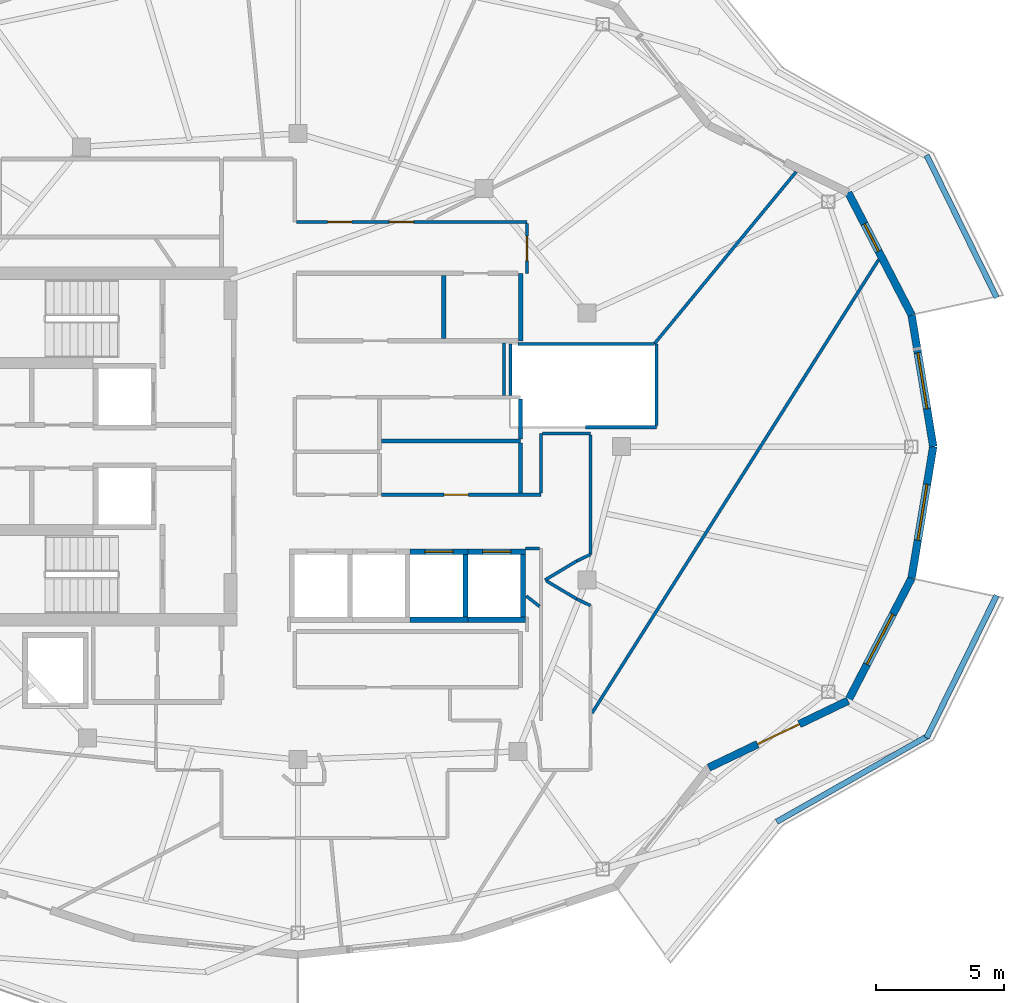
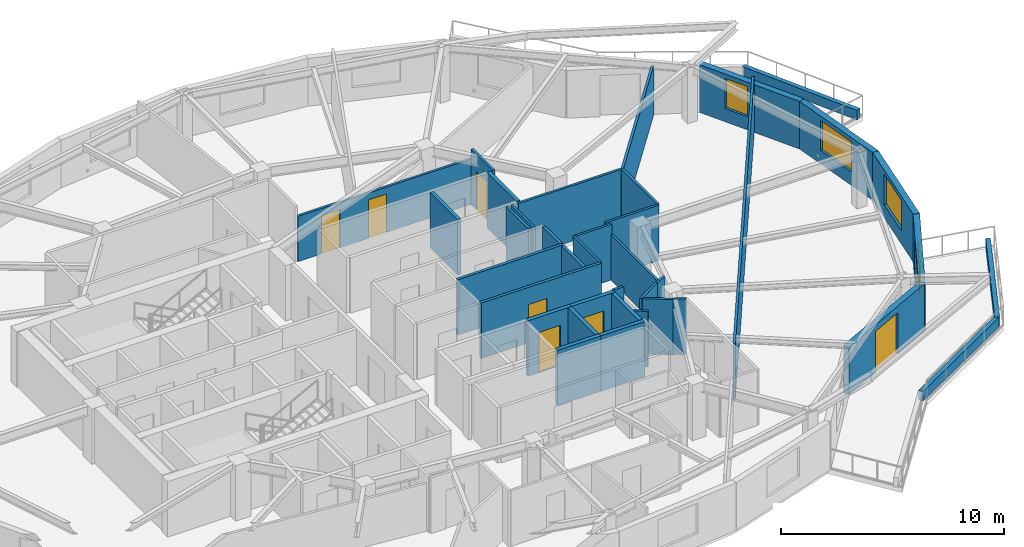
# One storey, part 9 of 14: 38 walls, 7 doors, 4 windows, 11 openings.
"""IFC4 building model written with IfcOpenShell, lengths in metres."""

from ifc_helpers import new_model, si_unit, direction, frame, frame_2d, origin, place, context, subcontext, project, spatial, rectangle, extrude, material, layer, layer_set, type_object, element, fill, save


model = new_model("IFC4")

# Units and contexts
model_context = context("Model", 3, precision=1e-05, world=origin(), true_north=direction((0.0, 1.0)))
body_context = subcontext(model_context, "Body", "Model", "MODEL_VIEW")
ifc_project = project(units=[si_unit("LENGTHUNIT", "METRE"), si_unit("AREAUNIT", "SQUARE_METRE"), si_unit("VOLUMEUNIT", "CUBIC_METRE"), si_unit("PLANEANGLEUNIT", "RADIAN"), si_unit("MASSUNIT", "GRAM", prefix="KILO")], contexts=[model_context])

# Site, building, storey
site_placement = place(None, origin())
site = spatial("IfcSite", under=ifc_project, at=site_placement, CompositionType="ELEMENT")
building_placement = place(site_placement, origin())
building = spatial("IfcBuilding", under=site, at=building_placement, Name="Kolvaren Gate Tower and Convention Centre", CompositionType="ELEMENT")
storey_placement = place(building_placement, frame((0.0, 0.0, 206.300048828125)))
storey = spatial("IfcBuildingStorey", under=building, at=storey_placement, Name="L54", CompositionType="ELEMENT", Elevation=206.300048828125)

# Walls
ifc_material_1 = material(Name="Autoclaved Aerated Masonry Blockwork Class 4 (4.0 MPa)", Category="masonry")
ifc_layer_1 = layer(ifc_material_1, 0.179931640625)
ifc_layer_set_1 = layer_set([ifc_layer_1], Name="Autoclaved Aerated Masonry Blockwork Class 4 (4.0 MPa)")
wall_type_1 = type_object("IfcWallType", Name="ARCH-WL-COMP-180", PredefinedType="SOLIDWALL", material=ifc_layer_set_1)
wall_1_placement = place(storey_placement, frame((38.800048828125, 31.1201171875, 0.0), z_axis=(0.0, 0.0, 1.0), x_axis=(0.0, 1.0, 0.0)))
element("IfcWall", 1, at=wall_1_placement, inside=storey, type_object=wall_type_1, Name="Interior Partition WL-L54-INT-028", PredefinedType="SOLIDWALL", context=body_context, shape_type="SweptSolid", body=[
    extrude(rectangle(XDim=2.6298828125, YDim=0.179931640625, at=frame_2d((1.31494140625, 0.0))), origin(), (0.0, 0.0, 1.0), 3.030029296875),
])
wall_2_placement = place(storey_placement, frame((35.800048828125, 31.2119140625, 0.0), z_axis=(0.0, 0.0, 1.0), x_axis=(0.0, 1.0, 0.0)))
element("IfcWall", 2, at=wall_2_placement, inside=storey, type_object=wall_type_1, Name="Interior Partition WL-L54-INT-031", PredefinedType="SOLIDWALL", context=body_context, shape_type="SweptSolid", body=[
    extrude(rectangle(XDim=2.446044921875, YDim=0.179931640625, at=frame_2d((1.22314453125, 0.0))), origin(), (0.0, 0.0, 1.0), 3.030029296875),
])

# Wall, openings, doors
ifc_material_2 = material(Name="Fire-Rated Acoustic Gypsum Stud Partition", Category="gypsum")
ifc_layer_2 = layer(ifc_material_2, 0.1201171875)
ifc_layer_set_2 = layer_set([ifc_layer_2], Name="Fire-Rated Acoustic Gypsum Stud Partition")
wall_type_2 = type_object("IfcWallType", Name="ARCH-WL-PART-120", PredefinedType="PARTITIONING", material=ifc_layer_set_2)
wall_3_placement = place(storey_placement, frame((30.06201171875, 35.75, 0.0), z_axis=(0.0, 0.0, 1.0), x_axis=(1.0, 0.0, 0.0)))
wall_3 = element("IfcWall", 3, at=wall_3_placement, inside=storey, type_object=wall_type_2, Name="Interior Partition WL-L54-INT-037", PredefinedType="PARTITIONING", context=body_context, shape_type="SweptSolid", body=[
    extrude(rectangle(XDim=8.988037109375, YDim=0.1201171875, at=frame_2d((4.494140625, 0.0))), origin(), (0.0, 0.0, 1.0), 2.47802734375),
])
opening_1_placement = place(wall_3_placement, frame((3.6220703125, 0.0, 0.0)))
opening_1 = element("IfcOpeningElement", 4, at=opening_1_placement, cuts=wall_3, Name="Opening DR-01", PredefinedType="OPENING", context=body_context, shape_type="SweptSolid", body=[
    extrude(rectangle(XDim=0.949951171875, YDim=2.10009765625, at=frame_2d((0.47509765625, 1.050048828125))), frame((0.0, 0.070068359375, 0.0), z_axis=(0.0, -1.0, 0.0), x_axis=(1.0, 0.0, 0.0)), (0.0, 0.0, 1.0), 0.14013671875),
])
opening_2_placement = place(wall_3_placement, frame((1.2158203125, 0.0, 0.0)))
opening_2 = element("IfcOpeningElement", 5, at=opening_2_placement, cuts=wall_3, Name="Opening DR-01", PredefinedType="OPENING", context=body_context, shape_type="SweptSolid", body=[
    extrude(rectangle(XDim=0.949951171875, YDim=2.10009765625, at=frame_2d((0.47509765625, 1.050048828125))), frame((0.0, 0.070068359375, 0.0), z_axis=(0.0, -1.0, 0.0), x_axis=(1.0, 0.0, 0.0)), (0.0, 0.0, 1.0), 0.14013671875),
])
ifc_material_3 = material(Name="Painted Architectural Steelwork ASTM A500 Grade C 345 MPa", Category="steel")
door_type_1 = type_object("IfcDoorType", Name="ARCH-DR-RISER-950", OperationType="SINGLE_SWING_RIGHT", PredefinedType="DOOR", material=ifc_material_3)
door_1_placement = place(opening_1_placement, origin())
door_1 = element("IfcDoor", 6, at=door_1_placement, inside=storey, type_object=door_type_1, Name="Resident Private Study Door", OperationType="SINGLE_SWING_RIGHT", OverallHeight=2.10009765625, OverallWidth=0.949951171875, PredefinedType="DOOR", context=body_context, shape_type="SweptSolid", body=[
    extrude(rectangle(XDim=0.949951171875, YDim=2.10009765625, at=frame_2d((0.47509765625, 1.050048828125))), frame((0.0, 0.02490234375, 0.0), z_axis=(0.0, -1.0, 0.0), x_axis=(1.0, 0.0, 0.0)), (0.0, 0.0, 1.0), 0.050048828125),
])
fill(opening_1, door_1)
door_2_placement = place(opening_2_placement, origin())
door_2 = element("IfcDoor", 7, at=door_2_placement, inside=storey, type_object=door_type_1, Name="Resident Quiet Study Office Door", OperationType="SINGLE_SWING_LEFT", OverallHeight=2.10009765625, OverallWidth=0.949951171875, PredefinedType="DOOR", context=body_context, shape_type="SweptSolid", body=[
    extrude(rectangle(XDim=0.949951171875, YDim=2.10009765625, at=frame_2d((0.47509765625, 1.050048828125))), frame((0.0, 0.02490234375, 0.0), z_axis=(0.0, -1.0, 0.0), x_axis=(1.0, 0.0, 0.0)), (0.0, 0.0, 1.0), 0.050048828125),
])
fill(opening_2, door_2)

# Wall, opening, door
wall_4_placement = place(storey_placement, frame((39.050048828125, 33.75, 0.0), z_axis=(0.0, 0.0, 1.0), x_axis=(0.0, 1.0, 0.0)))
wall_4 = element("IfcWall", 8, at=wall_4_placement, inside=storey, type_object=wall_type_2, Name="Interior Partition WL-L54-INT-039", PredefinedType="PARTITIONING", context=body_context, shape_type="SweptSolid", body=[
    extrude(rectangle(XDim=1.93798828125, YDim=0.1201171875, at=frame_2d((0.968994140625, 0.0))), origin(), (0.0, 0.0, 1.0), 3.030029296875),
])
opening_3_placement = place(wall_4_placement, frame((0.493896484375, 0.0, 0.0)))
opening_3 = element("IfcOpeningElement", 9, at=opening_3_placement, cuts=wall_4, Name="Opening DR-01", PredefinedType="OPENING", context=body_context, shape_type="SweptSolid", body=[
    extrude(rectangle(XDim=0.949951171875, YDim=2.10009765625, at=frame_2d((0.47509765625, 1.050048828125))), frame((0.0, 0.070068359375, 0.0), z_axis=(0.0, -1.0, 0.0), x_axis=(1.0, 0.0, 0.0)), (0.0, 0.0, 1.0), 0.14013671875),
])
door_3_placement = place(opening_3_placement, origin())
door_3 = element("IfcDoor", 10, at=door_3_placement, inside=storey, type_object=door_type_1, Name="Resident Quiet Study Office Door", OperationType="SINGLE_SWING_LEFT", OverallHeight=2.10009765625, OverallWidth=0.949951171875, PredefinedType="DOOR", context=body_context, shape_type="SweptSolid", body=[
    extrude(rectangle(XDim=0.949951171875, YDim=2.10009765625, at=frame_2d((0.47509765625, 1.050048828125))), frame((0.0, 0.02490234375, 0.0), z_axis=(0.0, -1.0, 0.0), x_axis=(1.0, 0.0, 0.0)), (0.0, 0.0, 1.0), 0.050048828125),
])
fill(opening_3, door_3)

# Walls
wall_5_placement = place(storey_placement, frame((38.159912109375, 28.9970703125, 0.0), z_axis=(0.0, 0.0, 1.0), x_axis=(0.0, 1.0, 0.0)))
element("IfcWall", 11, at=wall_5_placement, inside=storey, type_object=wall_type_2, Name="Interior Partition WL-L54-INT-040", PredefinedType="PARTITIONING", context=body_context, shape_type="SweptSolid", body=[
    extrude(rectangle(XDim=2.031005859375, YDim=0.1201171875, at=frame_2d((1.015625, 0.0))), origin(), (0.0, 0.0, 1.0), 3.030029296875),
])
wall_6_placement = place(storey_placement, frame((39.60009765625, 25.197021484375, 0.0), z_axis=(0.0, 0.0, 1.0), x_axis=(0.0, 1.0, 0.0)))
element("IfcWall", 12, at=wall_6_placement, inside=storey, type_object=wall_type_2, Name="Interior Partition WL-L54-INT-042", PredefinedType="PARTITIONING", context=body_context, shape_type="SweptSolid", body=[
    extrude(rectangle(XDim=2.31298828125, YDim=0.1201171875, at=frame_2d((1.156494140625, 0.0))), origin(), (0.0, 0.0, 1.0), 3.030029296875),
])
wall_7_placement = place(storey_placement, frame((39.662109375, 27.510009765625, 0.0), z_axis=(0.0, 0.0, 1.0), x_axis=(1.0, 0.0, 0.0)))
element("IfcWall", 13, at=wall_7_placement, inside=storey, type_object=wall_type_2, Name="Interior Partition WL-L54-INT-043", PredefinedType="PARTITIONING", context=body_context, shape_type="SweptSolid", body=[
    extrude(rectangle(XDim=1.85791015625, YDim=0.1201171875, at=frame_2d((0.928955078125, 0.0))), origin(), (0.0, 0.0, 1.0), 3.030029296875),
])
wall_8_placement = place(storey_placement, frame((41.52001953125, 22.7939453125, 0.0), z_axis=(0.0, 0.0, 1.0), x_axis=(0.0, 1.0, 0.0)))
element("IfcWall", 14, at=wall_8_placement, inside=storey, type_object=wall_type_2, Name="Interior Partition WL-L54-INT-045", PredefinedType="PARTITIONING", context=body_context, shape_type="SweptSolid", body=[
    extrude(rectangle(XDim=4.654052734375, YDim=0.1201171875, at=frame_2d((2.3271484375, 0.0))), origin(), (0.0, 0.0, 1.0), 2.47802734375),
])
wall_9_placement = place(storey_placement, frame((40.986083984375, 22.541015625, 0.0), z_axis=(0.0, 0.0, 1.0), x_axis=(0.903729424576, 0.428104107847, 0.0)))
element("IfcWall", 15, at=wall_9_placement, inside=storey, type_object=wall_type_2, Name="Interior Partition WL-L54-INT-046", PredefinedType="PARTITIONING", context=body_context, shape_type="SweptSolid", body=[
    extrude(rectangle(XDim=0.5908203125, YDim=0.1201171875, at=frame_2d((0.29541015625, 0.0))), origin(), (0.0, 0.0, 1.0), 3.030029296875),
])
wall_10_placement = place(storey_placement, frame((39.75, 21.800048828125, 0.0), z_axis=(0.0, 0.0, 1.0), x_axis=(0.857702120906, 0.514146935996, 0.0)))
element("IfcWall", 16, at=wall_10_placement, inside=storey, type_object=wall_type_2, Name="Interior Partition WL-L54-INT-047", PredefinedType="PARTITIONING", context=body_context, shape_type="SweptSolid", body=[
    extrude(rectangle(XDim=1.441162109375, YDim=0.1201171875, at=frame_2d((0.720703125, 0.0))), origin(), (0.0, 0.0, 1.0), 3.030029296875),
])
wall_11_placement = place(storey_placement, frame((39.810302734375, 21.763916015625, 0.0), z_axis=(0.0, 0.0, 1.0), x_axis=(0.858011245414, -0.513630901273, 0.0)))
element("IfcWall", 17, at=wall_11_placement, inside=storey, type_object=wall_type_2, Name="Interior Partition WL-L54-INT-048", PredefinedType="PARTITIONING", context=body_context, shape_type="SweptSolid", body=[
    extrude(rectangle(XDim=1.370361328125, YDim=0.1201171875, at=frame_2d((0.68505859375, 0.0))), origin(), (0.0, 0.0, 1.0), 3.030029296875),
])
wall_12_placement = place(storey_placement, frame((40.986083984375, 21.06005859375, 0.0), z_axis=(0.0, 0.0, 1.0), x_axis=(0.90356951601, -0.428441512621, 0.0)))
element("IfcWall", 18, at=wall_12_placement, inside=storey, type_object=wall_type_2, Name="Interior Partition WL-L54-INT-049", PredefinedType="PARTITIONING", context=body_context, shape_type="SweptSolid", body=[
    extrude(rectangle(XDim=0.5908203125, YDim=0.1201171875, at=frame_2d((0.29541015625, 0.0))), origin(), (0.0, 0.0, 1.0), 3.030029296875),
])
wall_13_placement = place(storey_placement, frame((39.0, 23.02001953125, 0.0), z_axis=(0.0, 0.0, 1.0), x_axis=(1.0, 0.0, 0.0)))
element("IfcWall", 19, at=wall_13_placement, inside=storey, type_object=wall_type_2, Name="Interior Partition WL-L54-INT-055", PredefinedType="PARTITIONING", context=body_context, shape_type="SweptSolid", body=[
    extrude(rectangle(XDim=0.5380859375, YDim=0.1201171875, at=frame_2d((0.26904296875, 0.0))), origin(), (0.0, 0.0, 1.0), 3.030029296875),
])
wall_14_placement = place(storey_placement, frame((39.02001953125, 21.177978515625, 0.0), z_axis=(0.0, 0.0, 1.0), x_axis=(0.788170760396, -0.615456621101, 0.0)))
element("IfcWall", 20, at=wall_14_placement, inside=storey, type_object=wall_type_2, Name="Interior Partition WL-L54-INT-072", PredefinedType="PARTITIONING", context=body_context, shape_type="SweptSolid", body=[
    extrude(rectangle(XDim=0.6572265625, YDim=0.1201171875, at=frame_2d((0.32861328125, 0.0))), origin(), (0.0, 0.0, 1.0), 3.030029296875),
])
wall_15_placement = place(storey_placement, frame((41.58203125, 16.617431640625, 0.0), z_axis=(0.0, 0.0, 1.0), x_axis=(0.534374121444, 0.845248069108, 0.0)))
element("IfcWall", 21, at=wall_15_placement, inside=storey, type_object=wall_type_2, Name="Interior Partition WL-L54-INT-074", PredefinedType="PARTITIONING", context=body_context, shape_type="SweptSolid", body=[
    extrude(rectangle(XDim=20.892333984375, YDim=0.1201171875, at=frame_2d((10.4462890625, 0.0))), origin(), (0.0, 0.0, 1.0), 3.030029296875),
])
wall_16_placement = place(storey_placement, frame((41.3310546875, 27.75, 0.0), z_axis=(0.0, 0.0, 1.0), x_axis=(1.0, 0.0, 0.0)))
element("IfcWall", 22, at=wall_16_placement, inside=storey, type_object=wall_type_2, Name="Interior Partition WL-L54-INT-075", PredefinedType="PARTITIONING", context=body_context, shape_type="SweptSolid", body=[
    extrude(rectangle(XDim=2.76904296875, YDim=0.1201171875, at=frame_2d((1.384521484375, 0.0))), origin(), (0.0, 0.0, 1.0), 3.030029296875),
])
wall_17_placement = place(storey_placement, frame((44.10009765625, 27.81201171875, 0.0), z_axis=(0.0, 0.0, 1.0), x_axis=(0.0, 1.0, 0.0)))
element("IfcWall", 23, at=wall_17_placement, inside=storey, type_object=wall_type_2, Name="Interior Partition WL-L54-INT-076", PredefinedType="PARTITIONING", context=body_context, shape_type="SweptSolid", body=[
    extrude(rectangle(XDim=3.18798828125, YDim=0.1201171875, at=frame_2d((1.593994140625, 0.0))), origin(), (0.0, 0.0, 1.0), 3.030029296875),
])
wall_18_placement = place(storey_placement, frame((44.010009765625, 31.0, 0.0), z_axis=(0.0, 0.0, 1.0), x_axis=(0.635986973411, 0.771699792439, 0.0)))
element("IfcWall", 24, at=wall_18_placement, inside=storey, type_object=wall_type_2, Name="Interior Partition WL-L54-INT-077", PredefinedType="PARTITIONING", context=body_context, shape_type="SweptSolid", body=[
    extrude(rectangle(XDim=8.68701171875, YDim=0.1201171875, at=frame_2d((4.343505859375, 0.0))), origin(), (0.0, 0.0, 1.0), 2.7119140625),
])
wall_19_placement = place(storey_placement, frame((38.7080078125, 31.0, 0.0), z_axis=(0.0, 0.0, 1.0), x_axis=(1.0, 0.0, 0.0)))
element("IfcWall", 25, at=wall_19_placement, inside=storey, type_object=wall_type_2, Name="Interior Partition WL-L54-INT-078", PredefinedType="PARTITIONING", context=body_context, shape_type="SweptSolid", body=[
    extrude(rectangle(XDim=5.302001953125, YDim=0.1201171875, at=frame_2d((2.65087890625, 0.0))), origin(), (0.0, 0.0, 1.0), 3.030029296875),
])
wall_20_placement = place(storey_placement, frame((38.39990234375, 28.9970703125, 0.0), z_axis=(0.0, 0.0, 1.0), x_axis=(0.0, 1.0, 0.0)))
element("IfcWall", 26, at=wall_20_placement, inside=storey, type_object=wall_type_2, Name="Interior Partition WL-L54-INT-079", PredefinedType="PARTITIONING", context=body_context, shape_type="SweptSolid", body=[
    extrude(rectangle(XDim=2.0029296875, YDim=0.1201171875, at=frame_2d((1.00146484375, 0.0))), origin(), (0.0, 0.0, 1.0), 3.030029296875),
])
ifc_material_4 = material(Name="Piedmont Cream Honed Limestone Cladding", Category="masonry")
ifc_layer_3 = layer(ifc_material_4, 0.219970703125)
ifc_layer_set_3 = layer_set([ifc_layer_3], Name="Piedmont Cream Honed Limestone Cladding")
wall_type_3 = type_object("IfcWallType", Name="ARCH-WL-PLANTER-220", PredefinedType="PARAPET", material=ifc_layer_set_3)
wall_21_placement = place(storey_placement, frame((54.615966796875, 38.3466796875, 0.0), z_axis=(0.0, 0.0, 1.0), x_axis=(0.441640961804, -0.897191875162, 0.0)))
element("IfcWall", 27, at=wall_21_placement, inside=storey, type_object=wall_type_3, Name="Vertical-Forest Balcony Stone Planter Kerb PK-L54-1.1", PredefinedType="PARAPET", context=body_context, shape_type="SweptSolid", body=[
    extrude(rectangle(XDim=6.17822265625, YDim=0.219970703125, at=frame_2d((3.089111328125, 0.0))), origin(), (0.0, 0.0, 1.0), 0.52001953125),
])
wall_22_placement = place(storey_placement, frame((48.7763671875, 12.38330078125, 0.0), z_axis=(0.0, 0.0, 1.0), x_axis=(0.869860619267, 0.493297580623, 0.0)))
element("IfcWall", 28, at=wall_22_placement, inside=storey, type_object=wall_type_3, Name="Vertical-Forest Balcony Stone Planter Kerb PK-L54-4.2", PredefinedType="PARAPET", context=body_context, shape_type="SweptSolid", body=[
    extrude(rectangle(XDim=6.74267578125, YDim=0.219970703125, at=frame_2d((3.371337890625, 0.0))), origin(), (0.0, 0.0, 1.0), 0.52001953125),
])
wall_23_placement = place(storey_placement, frame((54.615966796875, 15.6533203125, 0.0), z_axis=(0.0, 0.0, 1.0), x_axis=(0.441640961804, 0.897191875162, 0.0)))
element("IfcWall", 29, at=wall_23_placement, inside=storey, type_object=wall_type_3, Name="Vertical-Forest Balcony Stone Planter Kerb PK-L54-4.3", PredefinedType="PARAPET", context=body_context, shape_type="SweptSolid", body=[
    extrude(rectangle(XDim=6.17822265625, YDim=0.219970703125, at=frame_2d((3.089111328125, 0.0))), origin(), (0.0, 0.0, 1.0), 0.52001953125),
])

# Wall, opening, door
ifc_layer_4 = layer(ifc_material_1, 0.199951171875)
ifc_layer_set_4 = layer_set([ifc_layer_4], Name="Autoclaved Aerated Masonry Blockwork Class 4 (4.0 MPa)")
wall_type_4 = type_object("IfcWallType", Name="ARCH-WL-SHAFT-200", PredefinedType="SOLIDWALL", material=ifc_layer_set_4)
wall_24_placement = place(storey_placement, frame((34.5, 22.89990234375, 0.0), z_axis=(0.0, 0.0, 1.0), x_axis=(1.0, 0.0, 0.0)))
wall_24 = element("IfcWall", 30, at=wall_24_placement, inside=storey, type_object=wall_type_4, Name="Elevator PL-11 L54 Fire Shaft Wall N", PredefinedType="SOLIDWALL", context=body_context, shape_type="SweptSolid", body=[
    extrude(rectangle(XDim=2.25, YDim=0.199951171875, at=frame_2d((1.125, 0.0))), origin(), (0.0, 0.0, 1.0), 3.030029296875),
])
opening_4_placement = place(wall_24_placement, frame((0.574951171875, 0.0, 0.0)))
opening_4 = element("IfcOpeningElement", 31, at=opening_4_placement, cuts=wall_24, Name="Opening LD", PredefinedType="OPENING", context=body_context, shape_type="SweptSolid", body=[
    extrude(rectangle(XDim=1.10009765625, YDim=2.199951171875, at=frame_2d((0.550048828125, 1.10009765625))), frame((0.0, 0.10986328125, 0.0), z_axis=(0.0, -1.0, 0.0), x_axis=(1.0, 0.0, 0.0)), (0.0, 0.0, 1.0), 0.219970703125),
])
ifc_material_5 = material(Name="Brushed Stainless Steel Grade 316L", Category="steel")
door_type_2 = type_object("IfcDoorType", Name="ARCH-DR-LIFT-1100", OperationType="SLIDING_TO_LEFT", PredefinedType="DOOR", material=ifc_material_5)
door_4_placement = place(opening_4_placement, origin())
door_4 = element("IfcDoor", 32, at=door_4_placement, inside=storey, type_object=door_type_2, Name="Elevator PL-11 L54 Sliding Landing Door", OperationType="SLIDING_TO_LEFT", OverallHeight=2.199951171875, OverallWidth=1.10009765625, PredefinedType="DOOR", context=body_context, shape_type="SweptSolid", body=[
    extrude(rectangle(XDim=1.10009765625, YDim=2.199951171875, at=frame_2d((0.550048828125, 1.10009765625))), frame((0.0, 0.02490234375, 0.0), z_axis=(0.0, -1.0, 0.0), x_axis=(1.0, 0.0, 0.0)), (0.0, 0.0, 1.0), 0.050048828125),
])
fill(opening_4, door_4)

# Walls
wall_25_placement = place(storey_placement, frame((34.5, 20.25, 0.0), z_axis=(0.0, 0.0, 1.0), x_axis=(1.0, 0.0, 0.0)))
element("IfcWall", 33, at=wall_25_placement, inside=storey, type_object=wall_type_4, Name="Elevator PL-11 L54 Fire Shaft Wall S", PredefinedType="SOLIDWALL", context=body_context, shape_type="SweptSolid", body=[
    extrude(rectangle(XDim=2.25, YDim=0.199951171875, at=frame_2d((1.125, 0.0))), origin(), (0.0, 0.0, 1.0), 3.030029296875),
])
wall_26_placement = place(storey_placement, frame((36.64990234375, 20.360107421875, 0.0), z_axis=(0.0, 0.0, 1.0), x_axis=(0.0, 1.0, 0.0)))
element("IfcWall", 34, at=wall_26_placement, inside=storey, type_object=wall_type_4, Name="Elevator PL-11 L54 Fire Shaft Wall E", PredefinedType="SOLIDWALL", context=body_context, shape_type="SweptSolid", body=[
    extrude(rectangle(XDim=2.429931640625, YDim=0.199951171875, at=frame_2d((1.21484375, 0.0))), origin(), (0.0, 0.0, 1.0), 3.030029296875),
])

# Wall, opening, door
wall_27_placement = place(storey_placement, frame((36.75, 22.89990234375, 0.0), z_axis=(0.0, 0.0, 1.0), x_axis=(1.0, 0.0, 0.0)))
wall_27 = element("IfcWall", 35, at=wall_27_placement, inside=storey, type_object=wall_type_4, Name="Elevator PL-12 L54 Fire Shaft Wall N", PredefinedType="SOLIDWALL", context=body_context, shape_type="SweptSolid", body=[
    extrude(rectangle(XDim=2.25, YDim=0.199951171875, at=frame_2d((1.125, 0.0))), origin(), (0.0, 0.0, 1.0), 3.030029296875),
])
opening_5_placement = place(wall_27_placement, frame((0.574951171875, 0.0, 0.0)))
opening_5 = element("IfcOpeningElement", 36, at=opening_5_placement, cuts=wall_27, Name="Opening LD", PredefinedType="OPENING", context=body_context, shape_type="SweptSolid", body=[
    extrude(rectangle(XDim=1.10009765625, YDim=2.199951171875, at=frame_2d((0.550048828125, 1.10009765625))), frame((0.0, 0.10986328125, 0.0), z_axis=(0.0, -1.0, 0.0), x_axis=(1.0, 0.0, 0.0)), (0.0, 0.0, 1.0), 0.219970703125),
])
door_5_placement = place(opening_5_placement, origin())
door_5 = element("IfcDoor", 37, at=door_5_placement, inside=storey, type_object=door_type_2, Name="Elevator PL-12 L54 Sliding Landing Door", OperationType="SLIDING_TO_LEFT", OverallHeight=2.199951171875, OverallWidth=1.10009765625, PredefinedType="DOOR", context=body_context, shape_type="SweptSolid", body=[
    extrude(rectangle(XDim=1.10009765625, YDim=2.199951171875, at=frame_2d((0.550048828125, 1.10009765625))), frame((0.0, 0.02490234375, 0.0), z_axis=(0.0, -1.0, 0.0), x_axis=(1.0, 0.0, 0.0)), (0.0, 0.0, 1.0), 0.050048828125),
])
fill(opening_5, door_5)

# Walls
wall_28_placement = place(storey_placement, frame((36.75, 20.25, 0.0), z_axis=(0.0, 0.0, 1.0), x_axis=(1.0, 0.0, 0.0)))
element("IfcWall", 38, at=wall_28_placement, inside=storey, type_object=wall_type_4, Name="Elevator PL-12 L54 Fire Shaft Wall S", PredefinedType="SOLIDWALL", context=body_context, shape_type="SweptSolid", body=[
    extrude(rectangle(XDim=2.25, YDim=0.199951171875, at=frame_2d((1.125, 0.0))), origin(), (0.0, 0.0, 1.0), 3.030029296875),
])
wall_29_placement = place(storey_placement, frame((38.89990234375, 20.360107421875, 0.0), z_axis=(0.0, 0.0, 1.0), x_axis=(0.0, 1.0, 0.0)))
element("IfcWall", 39, at=wall_29_placement, inside=storey, type_object=wall_type_4, Name="Elevator PL-12 L54 Fire Shaft Wall E", PredefinedType="SOLIDWALL", context=body_context, shape_type="SweptSolid", body=[
    extrude(rectangle(XDim=2.429931640625, YDim=0.199951171875, at=frame_2d((1.21484375, 0.0))), origin(), (0.0, 0.0, 1.0), 3.030029296875),
])

# Wall, opening, window
ifc_layer_5 = layer(ifc_material_4, 0.300048828125)
ifc_layer_set_5 = layer_set([ifc_layer_5], Name="Piedmont Cream Honed Limestone Cladding")
wall_type_5 = type_object("IfcWallType", Name="ARCH-WL-STONE-300", PredefinedType="SOLIDWALL", material=ifc_layer_set_5)
wall_30_placement = place(storey_placement, frame((54.03173828125, 32.12451171875, 0.0), z_axis=(0.0, 0.0, 1.0), x_axis=(0.16237087798, -0.986729799886, 0.0)))
wall_30 = element("IfcWall", 40, at=wall_30_placement, inside=storey, type_object=wall_type_5, Name="Tower L54 Honed Stone Spandrel Wall EW-00", PredefinedType="SOLIDWALL", context=body_context, shape_type="SweptSolid", body=[
    extrude(rectangle(XDim=5.193359375, YDim=0.300048828125, at=frame_2d((2.5966796875, 0.0))), origin(), (0.0, 0.0, 1.0), 2.60498046875),
])
opening_6_placement = place(wall_30_placement, frame((1.4970703125, 0.0, 0.719970703125)))
opening_6 = element("IfcOpeningElement", 41, at=opening_6_placement, cuts=wall_30, Name="Opening W-03", PredefinedType="OPENING", context=body_context, shape_type="SweptSolid", body=[
    extrude(rectangle(XDim=2.199951171875, YDim=1.64990234375, at=frame_2d((1.10009765625, 0.824951171875))), frame((0.0, 0.159912109375, 0.0), z_axis=(0.0, -1.0, 0.0), x_axis=(1.0, 0.0, 0.0)), (0.0, 0.0, 1.0), 0.320068359375),
])
ifc_material_6 = material(Name="Low-E Triple Insulated Glazing Unit 44 mm", Category="glass")
window_type_1 = type_object("IfcWindowType", Name="ARCH-WN-RES-2200", PartitioningType="SINGLE_PANEL", PredefinedType="WINDOW", material=ifc_material_6)
window_1_placement = place(opening_6_placement, origin())
window_1 = element("IfcWindow", 42, at=window_1_placement, inside=storey, type_object=window_type_1, Name="Tower L54 Punched Stone Facade Window W-00", OverallHeight=1.64990234375, OverallWidth=2.199951171875, PartitioningType="SINGLE_PANEL", PredefinedType="WINDOW", context=body_context, shape_type="SweptSolid", body=[
    extrude(rectangle(XDim=2.199951171875, YDim=1.64990234375, at=frame_2d((1.10009765625, 0.824951171875))), frame((0.0, 0.030029296875, 0.0), z_axis=(0.0, -1.0, 0.0), x_axis=(1.0, 0.0, 0.0)), (0.0, 0.0, 1.0), 0.06005859375),
])
fill(opening_6, window_1)

wall_31_placement = place(storey_placement, frame((51.55908203125, 36.89990234375, 0.0), z_axis=(0.0, 0.0, 1.0), x_axis=(0.459808219482, -0.888018243786, 0.0)))
wall_31 = element("IfcWall", 43, at=wall_31_placement, inside=storey, type_object=wall_type_5, Name="Tower L54 Honed Stone Spandrel Wall EW-01", PredefinedType="SOLIDWALL", context=body_context, shape_type="SweptSolid", body=[
    extrude(rectangle(XDim=5.377685546875, YDim=0.300048828125, at=frame_2d((2.68896484375, 0.0))), origin(), (0.0, 0.0, 1.0), 2.60498046875),
])
opening_7_placement = place(wall_31_placement, frame((1.3798828125, 0.0, 0.719970703125)))
opening_7 = element("IfcOpeningElement", 44, at=opening_7_placement, cuts=wall_31, Name="Opening W-04", PredefinedType="OPENING", context=body_context, shape_type="SweptSolid", body=[
    extrude(rectangle(XDim=1.199951171875, YDim=1.64990234375, at=frame_2d((0.60009765625, 0.824951171875))), frame((0.0, 0.159912109375, 0.0), z_axis=(0.0, -1.0, 0.0), x_axis=(1.0, 0.0, 0.0)), (0.0, 0.0, 1.0), 0.320068359375),
])
window_type_2 = type_object("IfcWindowType", Name="ARCH-WN-NARROW-1200", PartitioningType="SINGLE_PANEL", PredefinedType="WINDOW", material=ifc_material_6)
window_2_placement = place(opening_7_placement, origin())
window_2 = element("IfcWindow", 45, at=window_2_placement, inside=storey, type_object=window_type_2, Name="Tower L54 Punched Stone Facade Window W-01", OverallHeight=1.64990234375, OverallWidth=1.199951171875, PartitioningType="SINGLE_PANEL", PredefinedType="WINDOW", context=body_context, shape_type="SweptSolid", body=[
    extrude(rectangle(XDim=1.199951171875, YDim=1.64990234375, at=frame_2d((0.60009765625, 0.824951171875))), frame((0.0, 0.030029296875, 0.0), z_axis=(0.0, -1.0, 0.0), x_axis=(1.0, 0.0, 0.0)), (0.0, 0.0, 1.0), 0.06005859375),
])
fill(opening_7, window_2)

# Wall, opening, door
wall_32_placement = place(storey_placement, frame((46.132568359375, 14.49267578125, 0.0), z_axis=(0.0, 0.0, 1.0), x_axis=(0.901348331142, 0.433094892545, 0.0)))
wall_32 = element("IfcWall", 46, at=wall_32_placement, inside=storey, type_object=wall_type_5, Name="Tower L54 Honed Stone Spandrel Wall EW-21", PredefinedType="SOLIDWALL", context=body_context, shape_type="SweptSolid", body=[
    extrude(rectangle(XDim=6.0205078125, YDim=0.300048828125, at=frame_2d((3.01025390625, 0.0))), origin(), (0.0, 0.0, 1.0), 2.60498046875),
])
opening_8_placement = place(wall_32_placement, frame((2.110107421875, 0.0, 0.0)))
opening_8 = element("IfcOpeningElement", 47, at=opening_8_placement, cuts=wall_32, Name="Opening DB-01", PredefinedType="OPENING", context=body_context, shape_type="SweptSolid", body=[
    extrude(rectangle(XDim=1.800048828125, YDim=2.25, at=frame_2d((0.89990234375, 1.125))), frame((0.0, 0.159912109375, 0.0), z_axis=(0.0, -1.0, 0.0), x_axis=(1.0, 0.0, 0.0)), (0.0, 0.0, 1.0), 0.320068359375),
])
ifc_material_7 = material(Name="Anodized Architectural Aluminium Alloy 6063-T6", Category="aluminium")
door_type_3 = type_object("IfcDoorType", Name="ARCH-DR-BALC-1800", OperationType="SLIDING_TO_LEFT", PredefinedType="DOOR", material=ifc_material_7)
door_6_placement = place(opening_8_placement, frame((1.800048828125, 0.0, 0.0), z_axis=(0.0, 0.0, 1.0), x_axis=(-1.0, 0.0, 0.0)))
door_6 = element("IfcDoor", 48, at=door_6_placement, inside=storey, type_object=door_type_3, Name="Planted Sky Terrace Access Door DB-L54-21", OperationType="SLIDING_TO_LEFT", OverallHeight=2.25, OverallWidth=1.800048828125, PredefinedType="DOOR", context=body_context, shape_type="SweptSolid", body=[
    extrude(rectangle(XDim=1.800048828125, YDim=2.25, at=frame_2d((0.89990234375, 1.125))), frame((0.0, 0.02490234375, 0.0), z_axis=(0.0, -1.0, 0.0), x_axis=(1.0, 0.0, 0.0)), (0.0, 0.0, 1.0), 0.050048828125),
])
fill(opening_8, door_6)

# Wall, opening, window
wall_33_placement = place(storey_placement, frame((51.55908203125, 17.10009765625, 0.0), z_axis=(0.0, 0.0, 1.0), x_axis=(0.459808219482, 0.888018243786, 0.0)))
wall_33 = element("IfcWall", 49, at=wall_33_placement, inside=storey, type_object=wall_type_5, Name="Tower L54 Honed Stone Spandrel Wall EW-22", PredefinedType="SOLIDWALL", context=body_context, shape_type="SweptSolid", body=[
    extrude(rectangle(XDim=5.377685546875, YDim=0.300048828125, at=frame_2d((2.68896484375, 0.0))), origin(), (0.0, 0.0, 1.0), 2.60498046875),
])
opening_9_placement = place(wall_33_placement, frame((1.589111328125, 0.0, 0.719970703125)))
opening_9 = element("IfcOpeningElement", 50, at=opening_9_placement, cuts=wall_33, Name="Opening W-03", PredefinedType="OPENING", context=body_context, shape_type="SweptSolid", body=[
    extrude(rectangle(XDim=2.199951171875, YDim=1.64990234375, at=frame_2d((1.10009765625, 0.824951171875))), frame((0.0, 0.159912109375, 0.0), z_axis=(0.0, -1.0, 0.0), x_axis=(1.0, 0.0, 0.0)), (0.0, 0.0, 1.0), 0.320068359375),
])
window_3_placement = place(opening_9_placement, origin())
window_3 = element("IfcWindow", 51, at=window_3_placement, inside=storey, type_object=window_type_1, Name="Tower L54 Punched Stone Facade Window W-22", OverallHeight=1.64990234375, OverallWidth=2.199951171875, PartitioningType="SINGLE_PANEL", PredefinedType="WINDOW", context=body_context, shape_type="SweptSolid", body=[
    extrude(rectangle(XDim=2.199951171875, YDim=1.64990234375, at=frame_2d((1.10009765625, 0.824951171875))), frame((0.0, 0.030029296875, 0.0), z_axis=(0.0, -1.0, 0.0), x_axis=(1.0, 0.0, 0.0)), (0.0, 0.0, 1.0), 0.06005859375),
])
fill(opening_9, window_3)

wall_34_placement = place(storey_placement, frame((54.03173828125, 21.87548828125, 0.0), z_axis=(0.0, 0.0, 1.0), x_axis=(0.16237087798, 0.986729799886, 0.0)))
wall_34 = element("IfcWall", 52, at=wall_34_placement, inside=storey, type_object=wall_type_5, Name="Tower L54 Honed Stone Spandrel Wall EW-23", PredefinedType="SOLIDWALL", context=body_context, shape_type="SweptSolid", body=[
    extrude(rectangle(XDim=5.193359375, YDim=0.300048828125, at=frame_2d((2.5966796875, 0.0))), origin(), (0.0, 0.0, 1.0), 2.60498046875),
])
opening_10_placement = place(wall_34_placement, frame((1.4970703125, 0.0, 0.719970703125)))
opening_10 = element("IfcOpeningElement", 53, at=opening_10_placement, cuts=wall_34, Name="Opening W-03", PredefinedType="OPENING", context=body_context, shape_type="SweptSolid", body=[
    extrude(rectangle(XDim=2.199951171875, YDim=1.64990234375, at=frame_2d((1.10009765625, 0.824951171875))), frame((0.0, 0.159912109375, 0.0), z_axis=(0.0, -1.0, 0.0), x_axis=(1.0, 0.0, 0.0)), (0.0, 0.0, 1.0), 0.320068359375),
])
window_4_placement = place(opening_10_placement, origin())
window_4 = element("IfcWindow", 54, at=window_4_placement, inside=storey, type_object=window_type_1, Name="Tower L54 Punched Stone Facade Window W-23", OverallHeight=1.64990234375, OverallWidth=2.199951171875, PartitioningType="SINGLE_PANEL", PredefinedType="WINDOW", context=body_context, shape_type="SweptSolid", body=[
    extrude(rectangle(XDim=2.199951171875, YDim=1.64990234375, at=frame_2d((1.10009765625, 0.824951171875))), frame((0.0, 0.030029296875, 0.0), z_axis=(0.0, -1.0, 0.0), x_axis=(1.0, 0.0, 0.0)), (0.0, 0.0, 1.0), 0.06005859375),
])
fill(opening_10, window_4)

# Wall, opening, door
ifc_material_8 = material(Name="Moisture-Resistant Cement-Board Acoustic Partition", Category="gypsum")
ifc_layer_6 = layer(ifc_material_8, 0.14990234375)
ifc_layer_set_6 = layer_set([ifc_layer_6], Name="Moisture-Resistant Cement-Board Acoustic Partition")
wall_type_6 = type_object("IfcWallType", Name="ARCH-WL-WET-150", PredefinedType="PARTITIONING", material=ifc_layer_set_6)
wall_35_placement = place(storey_placement, frame((33.376953125, 25.1201171875, 0.0), z_axis=(0.0, 0.0, 1.0), x_axis=(1.0, 0.0, 0.0)))
wall_35 = element("IfcWall", 55, at=wall_35_placement, inside=storey, type_object=wall_type_6, Name="Interior Partition WL-L54-INT-024 (2)", PredefinedType="PARTITIONING", context=body_context, shape_type="SweptSolid", body=[
    extrude(rectangle(XDim=6.22314453125, YDim=0.14990234375, at=frame_2d((3.111572265625, 0.0))), origin(), (0.0, 0.0, 1.0), 3.030029296875),
])
opening_11_placement = place(wall_35_placement, frame((2.44140625, 0.0, 0.0)))
opening_11 = element("IfcOpeningElement", 56, at=opening_11_placement, cuts=wall_35, Name="Opening DR-01", PredefinedType="OPENING", context=body_context, shape_type="SweptSolid", body=[
    extrude(rectangle(XDim=0.949951171875, YDim=2.10009765625, at=frame_2d((0.47509765625, 1.050048828125))), frame((0.0, 0.0849609375, 0.0), z_axis=(0.0, -1.0, 0.0), x_axis=(1.0, 0.0, 0.0)), (0.0, 0.0, 1.0), 0.169921875),
])
door_7_placement = place(opening_11_placement, origin())
door_7 = element("IfcDoor", 57, at=door_7_placement, inside=storey, type_object=door_type_1, Name="Floor Coffee Pantry Door", OperationType="SINGLE_SWING_LEFT", OverallHeight=2.10009765625, OverallWidth=0.949951171875, PredefinedType="DOOR", context=body_context, shape_type="SweptSolid", body=[
    extrude(rectangle(XDim=0.949951171875, YDim=2.10009765625, at=frame_2d((0.47509765625, 1.050048828125))), frame((0.0, 0.02490234375, 0.0), z_axis=(0.0, -1.0, 0.0), x_axis=(1.0, 0.0, 0.0)), (0.0, 0.0, 1.0), 0.050048828125),
])
fill(opening_11, door_7)

# Walls
wall_36_placement = place(storey_placement, frame((33.376953125, 27.219970703125, 0.0), z_axis=(0.0, 0.0, 1.0), x_axis=(1.0, 0.0, 0.0)))
element("IfcWall", 58, at=wall_36_placement, inside=storey, type_object=wall_type_6, Name="Interior Partition WL-L54-INT-025", PredefinedType="PARTITIONING", context=body_context, shape_type="SweptSolid", body=[
    extrude(rectangle(XDim=5.423095703125, YDim=0.14990234375, at=frame_2d((2.71142578125, 0.0))), origin(), (0.0, 0.0, 1.0), 3.030029296875),
])
wall_37_placement = place(storey_placement, frame((38.800048828125, 25.197021484375, 0.0), z_axis=(0.0, 0.0, 1.0), x_axis=(0.0, 1.0, 0.0)))
element("IfcWall", 59, at=wall_37_placement, inside=storey, type_object=wall_type_6, Name="Interior Partition WL-L54-INT-027", PredefinedType="PARTITIONING", context=body_context, shape_type="SweptSolid", body=[
    extrude(rectangle(XDim=1.946044921875, YDim=0.14990234375, at=frame_2d((0.97314453125, 0.0))), origin(), (0.0, 0.0, 1.0), 3.030029296875),
])
wall_38_placement = place(storey_placement, frame((38.800048828125, 27.297119140625, 0.0), z_axis=(0.0, 0.0, 1.0), x_axis=(0.0, 1.0, 0.0)))
element("IfcWall", 60, at=wall_38_placement, inside=storey, type_object=wall_type_6, Name="Interior Partition WL-L54-INT-027 (2)", PredefinedType="PARTITIONING", context=body_context, shape_type="SweptSolid", body=[
    extrude(rectangle(XDim=1.5458984375, YDim=0.14990234375, at=frame_2d((0.77294921875, 0.0))), origin(), (0.0, 0.0, 1.0), 3.030029296875),
])

save(model, "model.ifc")
